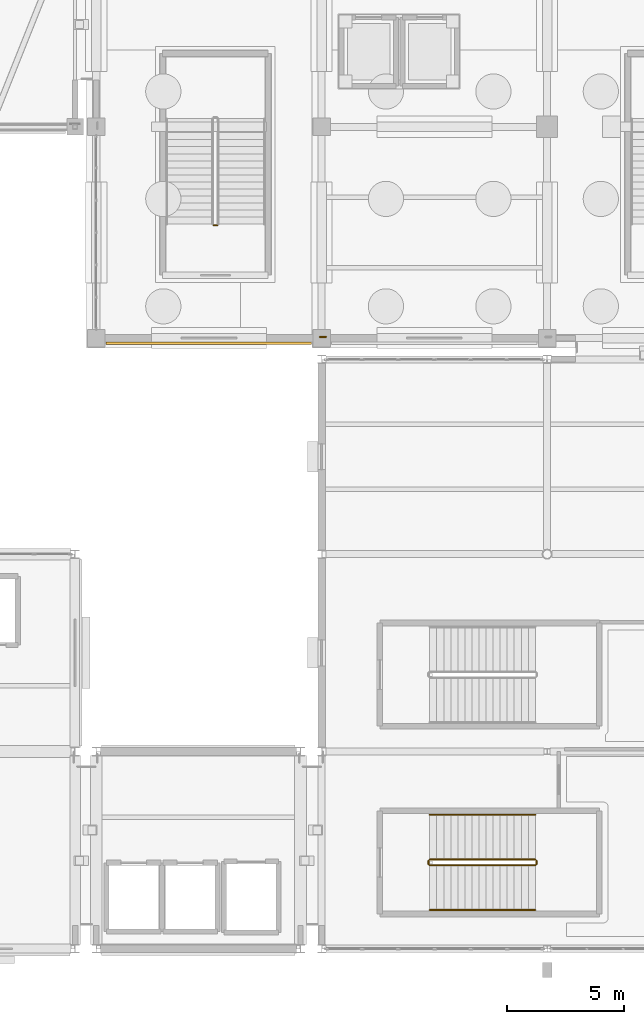
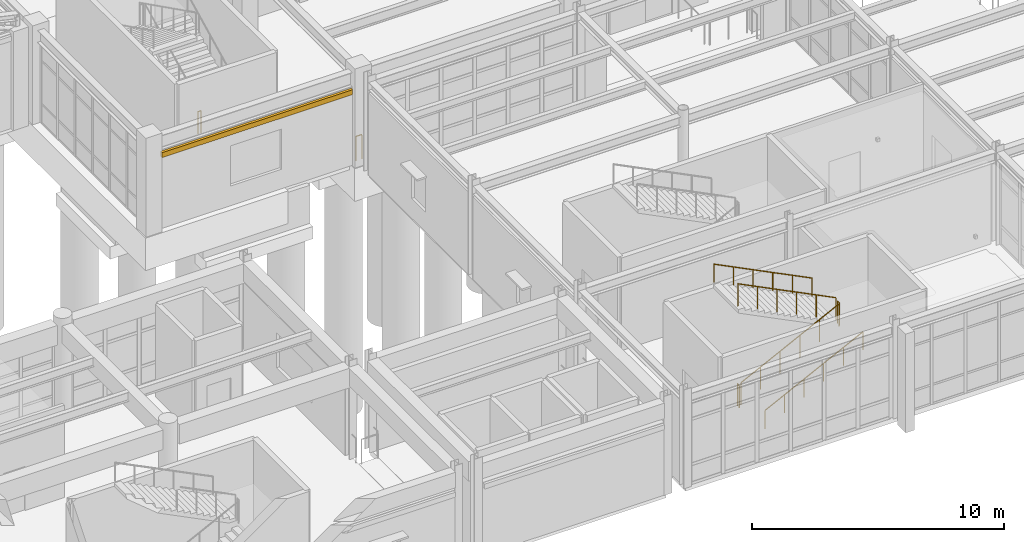
# One storey, part 126 of 139: 8 railings, 1 covering.
"""IFC4 building model written with IfcOpenShell, lengths in metres."""

import ifcopenshell
import ifcopenshell.guid

model = None  # the IFC model being written
_history = None  # IfcOwnerHistory: only IFC2X3 demands one
_inside = {}  # id of a spatial element -> (the spatial element, [elements in it])
_under = {}  # id of a project, library or spatial element -> (it, [spatial elements below it])
_declared = {}  # id of a project -> (the project, [libraries it declares])
_typed = {}  # id of a type object -> (the type object, [elements of that type])
_made_of = {}  # id of a material, layer set ... -> (it, [elements and type objects made of it])


def new_model(schema):
    """Start an empty IFC model of exactly this schema.

    Asked for "IFC4X3", IfcOpenShell would pick the latest addendum, in which some entities
    have other attributes; the version numbers below select the first issue.
    IFC2X3 requires an IfcOwnerHistory on every rooted entity: one is made here for all.
    """
    global model, _history
    if schema == "IFC4X3":
        model = ifcopenshell.file(schema_version=(4, 3, 0, 0))
    else:
        model = ifcopenshell.file(schema=schema)
    _inside.clear()
    _under.clear()
    _declared.clear()
    _typed.clear()
    _made_of.clear()
    _history = None
    if model.schema == "IFC2X3":
        org = make("IfcOrganization", Name="unknown")
        user = make(
            "IfcPersonAndOrganization",
            ThePerson=make("IfcPerson", FamilyName="unknown"),
            TheOrganization=org,
        )
        app = make(
            "IfcApplication",
            ApplicationDeveloper=org,
            Version="unknown",
            ApplicationFullName="unknown",
            ApplicationIdentifier="unknown",
        )
        _history = make(
            "IfcOwnerHistory",
            OwningUser=user,
            OwningApplication=app,
            ChangeAction="ADDED",
            CreationDate=0,
        )
    return model


def make(cls, **values):
    """One entity of the class cls with the attributes given. An attribute that is None is left unset."""
    return model.create_entity(
        cls, **{name: value for name, value in values.items() if value is not None}
    )


def rooted(cls, **values):
    """An entity with a GlobalId (a new one), such as an element, a storey or a relation."""
    return make(cls, GlobalId=ifcopenshell.guid.new(), OwnerHistory=_history, **values)


def si_unit(unit_type, name, prefix=None):
    """IfcSIUnit, for example si_unit("LENGTHUNIT", "METRE", prefix="MILLI")."""
    return make("IfcSIUnit", UnitType=unit_type, Prefix=prefix, Name=name)


def assignment(units):
    """IfcUnitAssignment: the units of a project."""
    return None if units is None else make("IfcUnitAssignment", Units=units)


def point(xyz):
    """IfcCartesianPoint."""
    return None if xyz is None else make("IfcCartesianPoint", Coordinates=xyz)


def direction(xyz):
    """IfcDirection."""
    return None if xyz is None else make("IfcDirection", DirectionRatios=xyz)


def frame(location, z_axis=None, x_axis=None):
    """IfcAxis2Placement3D, a coordinate frame: its origin and axes. An axis left out is left unset."""
    return make(
        "IfcAxis2Placement3D",
        Location=point(location),
        Axis=direction(z_axis),
        RefDirection=direction(x_axis),
    )


def frame_2d(location, x_axis=None):
    """IfcAxis2Placement2D, a coordinate frame in the plane: its origin and x axis."""
    return make(
        "IfcAxis2Placement2D", Location=point(location), RefDirection=direction(x_axis)
    )


def origin():
    """The frame at (0, 0, 0) with its axes left unset."""
    return frame((0.0, 0.0, 0.0))


def origin_2d():
    """The frame at (0, 0) in the plane with its x axis left unset."""
    return frame_2d((0.0, 0.0))


def place(relative_to, where):
    """IfcLocalPlacement: puts the frame where relative to a parent placement (None: the world)."""
    return make(
        "IfcLocalPlacement", PlacementRelTo=relative_to, RelativePlacement=where
    )


def context(
    kind, dimensions, precision=None, world=None, true_north=None, identifier=None
):
    """IfcGeometricRepresentationContext, for example the 3D "Model" context."""
    return make(
        "IfcGeometricRepresentationContext",
        ContextIdentifier=identifier,
        ContextType=kind,
        CoordinateSpaceDimension=dimensions,
        Precision=precision,
        WorldCoordinateSystem=world,
        TrueNorth=true_north,
    )


def subcontext(parent, identifier, kind, view, scale=None):
    """IfcGeometricRepresentationSubContext, for example "Body" below "Model"."""
    return make(
        "IfcGeometricRepresentationSubContext",
        ContextIdentifier=identifier,
        ContextType=kind,
        ParentContext=parent,
        TargetScale=scale,
        TargetView=view,
    )


def project(units=None, contexts=None):
    """IfcProject with its units and contexts."""
    return rooted(
        "IfcProject",
        Name="project",
        RepresentationContexts=contexts,
        UnitsInContext=assignment(units),
    )


def spatial(cls, under=None, at=None, **own):
    """A site, building, storey or space (cls), placed at a placement, below another one or the project."""
    s = rooted(cls, ObjectPlacement=at, **own)
    if under is not None:
        _under.setdefault(under.id(), (under, []))[1].append(s)
    return s


def profile(cls, at=None, kind="AREA", **sizes):
    """A parametric profile (cls). Its sizes go by their IFC names, for example OverallWidth=200.0."""
    return make(cls, ProfileType=kind, Position=at, **sizes)


def rectangle(**sizes):
    """IfcRectangleProfileDef."""
    return profile("IfcRectangleProfileDef", **sizes)


def circle(**sizes):
    """IfcCircleProfileDef."""
    return profile("IfcCircleProfileDef", **sizes)


def extrude(swept, where, along, depth):
    """IfcExtrudedAreaSolid: the profile swept, set in the frame where, extruded along a direction by depth."""
    return make(
        "IfcExtrudedAreaSolid",
        SweptArea=swept,
        Position=where,
        ExtrudedDirection=direction(along),
        Depth=depth,
    )


def shape(context_of_items, identifier, shape_type, items):
    """IfcShapeRepresentation: the items that make up one representation, for example the "Body"."""
    return make(
        "IfcShapeRepresentation",
        ContextOfItems=context_of_items,
        RepresentationIdentifier=identifier,
        RepresentationType=shape_type,
        Items=items,
    )


def material(Name=None, Category=None):
    """IfcMaterial."""
    return make("IfcMaterial", Name=Name, Category=Category)


def layer(
    of_material, thickness, ventilated=None, Name=None, Category=None, Priority=None
):
    """IfcMaterialLayer: one layer of a wall or slab, of a material (None: an air gap)."""
    return make(
        "IfcMaterialLayer",
        Material=of_material,
        LayerThickness=thickness,
        IsVentilated=ventilated,
        Name=Name,
        Category=Category,
        Priority=Priority,
    )


def layer_set(layers, Name=None):
    """IfcMaterialLayerSet."""
    return make("IfcMaterialLayerSet", MaterialLayers=layers, LayerSetName=Name)


def made_of(thing, what):
    """Note that an element or type object is made of a material, layer set ...; save() writes the relation."""
    if what is not None:
        _made_of.setdefault(what.id(), (what, []))[1].append(thing)
    return thing


def type_object(cls, material=None, **own):
    """A type object (cls), such as IfcWallType, which elements share."""
    return made_of(rooted(cls, **own), material)


def element(
    cls,
    number,
    at=None,
    inside=None,
    cuts=None,
    type_object=None,
    material=None,
    context=None,
    identifier="Body",
    shape_type=None,
    held_by="IfcProductDefinitionShape",
    body=None,
    shapes=None,
    **own,
):
    """One element of the class cls, such as IfcWall. Its Tag is "e" and its number.

    at: its placement. inside: the storey or other place that contains it. cuts: it is an
    opening in that element (IfcRelVoidsElement). A single representation is given by context,
    identifier, shape_type and body (its items); several are given by shapes. held_by: the class
    of the entity that holds the representations. save() writes the other relations.
    """
    e = rooted(cls, Tag="e%d" % number, ObjectPlacement=at, **own)
    if body is not None:
        shapes = [shape(context, identifier, shape_type, body)]
    if shapes is not None:
        e.Representation = make(held_by, Representations=shapes)
    if inside is not None:
        _inside.setdefault(inside.id(), (inside, []))[1].append(e)
    if cuts is not None:
        rooted(
            "IfcRelVoidsElement", RelatingBuildingElement=cuts, RelatedOpeningElement=e
        )
    if type_object is not None:
        _typed.setdefault(type_object.id(), (type_object, []))[1].append(e)
    return made_of(e, material)


def aggregate(whole, parts):
    """IfcRelAggregates: a whole, such as a stair, and the parts it consists of."""
    return rooted("IfcRelAggregates", RelatingObject=whole, RelatedObjects=parts)


def save(model, path):
    """Write the relations noted so far, then the file.

    IfcRelAggregates (storeys below a building ...), IfcRelContainedInSpatialStructure (elements
    in a storey), IfcRelDefinesByType, IfcRelAssociatesMaterial and IfcRelDeclares: one each for
    every whole, place, type object, material and project.
    """
    for whole, parts in _under.values():
        aggregate(whole, parts)
    for where, things in _inside.values():
        rooted(
            "IfcRelContainedInSpatialStructure",
            RelatedElements=things,
            RelatingStructure=where,
        )
    for kind, things in _typed.values():
        rooted("IfcRelDefinesByType", RelatedObjects=things, RelatingType=kind)
    for what, things in _made_of.values():
        rooted("IfcRelAssociatesMaterial", RelatedObjects=things, RelatingMaterial=what)
    for by, libraries in _declared.values():
        rooted("IfcRelDeclares", RelatingContext=by, RelatedDefinitions=libraries)
    model.write(path)


model = new_model("IFC4")

# Units and contexts
model_context = context("Model", 3, precision=1e-05, world=origin(), true_north=direction((0.0, 1.0)))
body_context = subcontext(model_context, "Body", "Model", "MODEL_VIEW")
ifc_project = project(units=[si_unit("LENGTHUNIT", "METRE"), si_unit("AREAUNIT", "SQUARE_METRE"), si_unit("VOLUMEUNIT", "CUBIC_METRE"), si_unit("PLANEANGLEUNIT", "RADIAN"), si_unit("MASSUNIT", "GRAM", prefix="KILO")], contexts=[model_context])

# Site, building, storey
site_placement = place(None, origin())
site = spatial("IfcSite", under=ifc_project, at=site_placement, CompositionType="ELEMENT")
building_placement = place(site_placement, origin())
building = spatial("IfcBuilding", under=site, at=building_placement, Name="Canglan Escarpment Cableway Terminal", CompositionType="ELEMENT")
storey_placement = place(building_placement, frame((0.0, 0.0, 14.39990234375)))
storey = spatial("IfcBuildingStorey", under=building, at=storey_placement, Name="L03", CompositionType="ELEMENT", Elevation=14.39990234375)

# Covering
ifc_material_1 = material(Name="Carved classical limestone cornice", Category="masonry")
ifc_layer = layer(ifc_material_1, 0.1201171875, Name="Carved classical limestone cornice")
ifc_layer_set = layer_set([ifc_layer], Name="Carved classical limestone cornice")
covering_type = type_object("IfcCoveringType", Name="COV-CORNICE-STONE", PredefinedType="CLADDING", material=ifc_layer_set)
covering_placement = place(storey_placement, frame((142.39990234375, 33.780029296875, 3.52490234375), z_axis=(0.0, 0.0, 1.0), x_axis=(1.0, 0.0, 0.0)))
element("IfcCovering", 1, at=covering_placement, inside=storey, type_object=covering_type, Name="Classical carved limestone cornice CL-01", PredefinedType="CLADDING", context=body_context, shape_type="SweptSolid", body=[
    extrude(rectangle(XDim=8.75, YDim=0.1201171875, at=origin_2d()), origin(), (0.0, 0.0, 1.0), 0.239990234375),
])

# Railings
ifc_material_2 = material(Name="Carved limestone and anodized bronze balustrade", Category="masonry")
railing_type_1 = type_object("IfcRailingType", Name="RL-EXT-BALUSTRADE-1200", PredefinedType="BALUSTRADE", material=ifc_material_2)
railing_1_placement = place(storey_placement, frame((147.385009765625, 34.050048828125, 0.0)))
element("IfcRailing", 2, at=railing_1_placement, inside=storey, type_object=railing_type_1, Name="Classical terrace balustrade guard GD-01 (L03)", PredefinedType="BALUSTRADE", context=body_context, shape_type="SweptSolid", body=[
    extrude(circle(Radius=0.02392578125, at=origin_2d()), frame((0.0, 0.0, 1.17578125), z_axis=(-1.0, 0.0, 0.0), x_axis=(0.0, -1.0, 0.0)), (0.0, 0.0, 1.0), 0.27001953125),
    extrude(circle(Radius=0.02099609375, at=origin_2d()), origin(), (0.0, 0.0, 1.0), 1.15185546875),
    extrude(circle(Radius=0.02099609375, at=origin_2d()), frame((-0.27001953125, 0.0, 0.0)), (0.0, 0.0, 1.0), 1.15185546875),
])
ifc_material_3 = material(Name="Powder-coated steel stair balustrade", Category="steel")
railing_type_2 = type_object("IfcRailingType", Name="RL-STR-GUARD-1100", PredefinedType="BALUSTRADE", material=ifc_material_3)
railing_2_placement = place(storey_placement, frame((151.800048828125, 11.550048828125, 0.150146484375)))
element("IfcRailing", 3, at=railing_2_placement, inside=storey, type_object=railing_type_2, Name="L03 ST-08 stair guard 1", PredefinedType="BALUSTRADE", context=body_context, shape_type="SweptSolid", body=[
    extrude(circle(Radius=0.02392578125, at=origin_2d()), frame((0.0, 0.0, 1.076171875), z_axis=(0.894427191, 0.0, 0.4472135955), x_axis=(0.0, 1.0, 0.0)), (0.0, 0.0, 1.0), 5.03125),
    extrude(circle(Radius=0.02099609375, at=origin_2d()), origin(), (0.0, 0.0, 1.0), 1.052001953125),
    extrude(circle(Radius=0.02099609375, at=origin_2d()), frame((0.89990234375, 0.0, 0.449951171875)), (0.0, 0.0, 1.0), 1.052001953125),
    extrude(circle(Radius=0.02099609375, at=origin_2d()), frame((1.800048828125, 0.0, 0.89990234375)), (0.0, 0.0, 1.0), 1.052001953125),
    extrude(circle(Radius=0.02099609375, at=origin_2d()), frame((2.699951171875, 0.0, 1.35009765625)), (0.0, 0.0, 1.0), 1.052001953125),
    extrude(circle(Radius=0.02099609375, at=origin_2d()), frame((3.60009765625, 0.0, 1.800048828125)), (0.0, 0.0, 1.0), 1.052001953125),
    extrude(circle(Radius=0.02099609375, at=origin_2d()), frame((4.5, 0.0, 2.25)), (0.0, 0.0, 1.0), 1.052001953125),
])
railing_3_placement = place(storey_placement, frame((156.35009765625, 11.60009765625, 2.400146484375)))
element("IfcRailing", 4, at=railing_3_placement, inside=storey, type_object=railing_type_2, Name="L03 ST-08 stair guard 2", PredefinedType="BALUSTRADE", context=body_context, shape_type="SweptSolid", body=[
    extrude(circle(Radius=0.02392578125, at=origin_2d()), frame((0.0, 0.0, 1.076171875), z_axis=(0.0, 1.0, 0.0), x_axis=(-1.0, 0.0, 0.0)), (0.0, 0.0, 1.0), 0.14990234375),
    extrude(circle(Radius=0.02099609375, at=origin_2d()), origin(), (0.0, 0.0, 1.0), 1.052001953125),
    extrude(circle(Radius=0.02099609375, at=origin_2d()), frame((0.0, 0.14990234375, 0.0)), (0.0, 0.0, 1.0), 1.052001953125),
])
railing_4_placement = place(storey_placement, frame((156.300048828125, 11.800048828125, 2.550048828125)))
element("IfcRailing", 5, at=railing_4_placement, inside=storey, type_object=railing_type_2, Name="L03 ST-08 stair guard 3", PredefinedType="BALUSTRADE", context=body_context, shape_type="SweptSolid", body=[
    extrude(circle(Radius=0.02392578125, at=origin_2d()), frame((0.0, 0.0, 1.076171875), z_axis=(-0.894427191, 0.0, 0.4472135955), x_axis=(0.0, -1.0, 0.0)), (0.0, 0.0, 1.0), 5.03125),
    extrude(circle(Radius=0.02099609375, at=origin_2d()), origin(), (0.0, 0.0, 1.0), 1.052001953125),
    extrude(circle(Radius=0.02099609375, at=origin_2d()), frame((-0.89990234375, 0.0, 0.449951171875)), (0.0, 0.0, 1.0), 1.052001953125),
    extrude(circle(Radius=0.02099609375, at=origin_2d()), frame((-1.800048828125, 0.0, 0.89990234375)), (0.0, 0.0, 1.0), 1.052001953125),
    extrude(circle(Radius=0.02099609375, at=origin_2d()), frame((-2.699951171875, 0.0, 1.35009765625)), (0.0, 0.0, 1.0), 1.052001953125),
    extrude(circle(Radius=0.02099609375, at=origin_2d()), frame((-3.60009765625, 0.0, 1.800048828125)), (0.0, 0.0, 1.0), 1.052001953125),
    extrude(circle(Radius=0.02099609375, at=origin_2d()), frame((-4.5, 0.0, 2.25)), (0.0, 0.0, 1.0), 1.052001953125),
])
railing_5_placement = place(storey_placement, frame((151.75, 11.60009765625, 0.0)))
element("IfcRailing", 6, at=railing_5_placement, inside=storey, type_object=railing_type_2, Name="L03 ST-08 stair guard 4", PredefinedType="BALUSTRADE", context=body_context, shape_type="SweptSolid", body=[
    extrude(circle(Radius=0.02392578125, at=origin_2d()), frame((0.0, 0.0, 1.076171875), z_axis=(0.0, 1.0, 0.0), x_axis=(-1.0, 0.0, 0.0)), (0.0, 0.0, 1.0), 0.14990234375),
    extrude(circle(Radius=0.02099609375, at=origin_2d()), origin(), (0.0, 0.0, 1.0), 1.052001953125),
    extrude(circle(Radius=0.02099609375, at=origin_2d()), frame((0.0, 0.14990234375, 0.0)), (0.0, 0.0, 1.0), 1.052001953125),
])
railing_6_placement = place(storey_placement, frame((142.75, 38.800048828125, 0.0)))
element("IfcRailing", 7, at=railing_6_placement, inside=storey, type_object=railing_type_2, Name="L03 ST-13 stair guard 4", PredefinedType="BALUSTRADE", context=body_context, shape_type="SweptSolid", body=[
    extrude(circle(Radius=0.02392578125, at=origin_2d()), frame((0.0, 0.0, 1.076171875), z_axis=(-1.0, 0.0, 0.0), x_axis=(0.0, -1.0, 0.0)), (0.0, 0.0, 1.0), 0.14990234375),
    extrude(circle(Radius=0.02099609375, at=origin_2d()), origin(), (0.0, 0.0, 1.0), 1.052001953125),
    extrude(circle(Radius=0.02099609375, at=origin_2d()), frame((-0.14990234375, 0.0, 0.0)), (0.0, 0.0, 1.0), 1.052001953125),
])
ifc_material_4 = material(Name="Brushed stainless steel 304 handrail", Category="steel")
railing_type_3 = type_object("IfcRailingType", Name="RL-STR-HR-900", PredefinedType="HANDRAIL", material=ifc_material_4)
railing_7_placement = place(storey_placement, frame((151.800048828125, 9.64990234375, 0.150146484375)))
element("IfcRailing", 8, at=railing_7_placement, inside=storey, type_object=railing_type_3, Name="L03 ST-08 stair handrail 1", PredefinedType="HANDRAIL", context=body_context, shape_type="SweptSolid", body=[
    extrude(circle(Radius=0.02392578125, at=origin_2d()), frame((0.0, 0.0, 0.8759765625), z_axis=(0.894427191, 0.0, 0.4472135955), x_axis=(0.0, 1.0, 0.0)), (0.0, 0.0, 1.0), 5.03125),
    extrude(circle(Radius=0.02099609375, at=origin_2d()), origin(), (0.0, 0.0, 1.0), 0.851806640625),
    extrude(circle(Radius=0.02099609375, at=origin_2d()), frame((0.89990234375, 0.0, 0.449951171875)), (0.0, 0.0, 1.0), 0.851806640625),
    extrude(circle(Radius=0.02099609375, at=origin_2d()), frame((1.800048828125, 0.0, 0.89990234375)), (0.0, 0.0, 1.0), 0.851806640625),
    extrude(circle(Radius=0.02099609375, at=origin_2d()), frame((2.699951171875, 0.0, 1.35009765625)), (0.0, 0.0, 1.0), 0.851806640625),
    extrude(circle(Radius=0.02099609375, at=origin_2d()), frame((3.60009765625, 0.0, 1.800048828125)), (0.0, 0.0, 1.0), 0.851806640625),
    extrude(circle(Radius=0.02099609375, at=origin_2d()), frame((4.5, 0.0, 2.25)), (0.0, 0.0, 1.0), 0.851806640625),
])
railing_8_placement = place(storey_placement, frame((156.300048828125, 13.699951171875, 2.550048828125)))
element("IfcRailing", 9, at=railing_8_placement, inside=storey, type_object=railing_type_3, Name="L03 ST-08 stair handrail 2", PredefinedType="HANDRAIL", context=body_context, shape_type="SweptSolid", body=[
    extrude(circle(Radius=0.02392578125, at=origin_2d()), frame((0.0, 0.0, 0.8759765625), z_axis=(-0.894427191, 0.0, 0.4472135955), x_axis=(0.0, -1.0, 0.0)), (0.0, 0.0, 1.0), 5.03125),
    extrude(circle(Radius=0.02099609375, at=origin_2d()), origin(), (0.0, 0.0, 1.0), 0.851806640625),
    extrude(circle(Radius=0.02099609375, at=origin_2d()), frame((-0.89990234375, 0.0, 0.449951171875)), (0.0, 0.0, 1.0), 0.851806640625),
    extrude(circle(Radius=0.02099609375, at=origin_2d()), frame((-1.800048828125, 0.0, 0.89990234375)), (0.0, 0.0, 1.0), 0.851806640625),
    extrude(circle(Radius=0.02099609375, at=origin_2d()), frame((-2.699951171875, 0.0, 1.35009765625)), (0.0, 0.0, 1.0), 0.851806640625),
    extrude(circle(Radius=0.02099609375, at=origin_2d()), frame((-3.60009765625, 0.0, 1.800048828125)), (0.0, 0.0, 1.0), 0.851806640625),
    extrude(circle(Radius=0.02099609375, at=origin_2d()), frame((-4.5, 0.0, 2.25)), (0.0, 0.0, 1.0), 0.851806640625),
])

save(model, "model.ifc")
